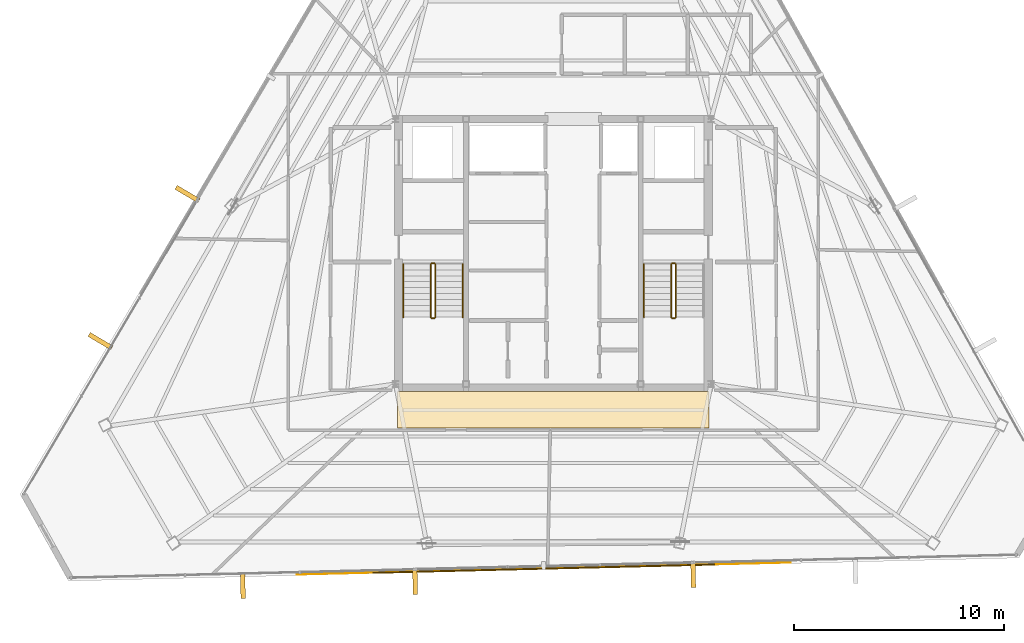
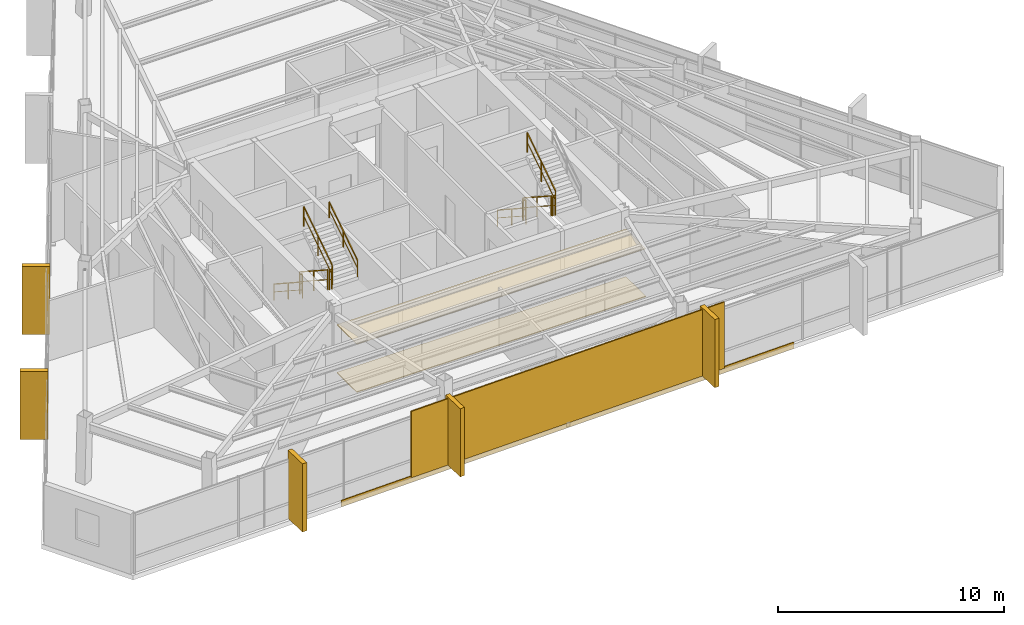
# One storey, part 43 of 44: 11 railings, 8 coverings, 1 shading device.
"""IFC4 building model written with IfcOpenShell, lengths in metres."""

from ifc_helpers import new_model, si_unit, direction, frame, origin, origin_2d, place, context, subcontext, project, spatial, polyline, rectangle, outline, extrude, source, transform, mapped, material, layer, layer_set, type_object, type_shapes, element, save


model = new_model("IFC4")

# Units and contexts
model_context = context("Model", 3, precision=1e-05, world=origin(), true_north=direction((0.0, 1.0)))
body_context = subcontext(model_context, "Body", "Model", "MODEL_VIEW")
ifc_project = project(units=[si_unit("LENGTHUNIT", "METRE"), si_unit("AREAUNIT", "SQUARE_METRE"), si_unit("VOLUMEUNIT", "CUBIC_METRE"), si_unit("PLANEANGLEUNIT", "RADIAN"), si_unit("MASSUNIT", "GRAM", prefix="KILO")], contexts=[model_context])

# Site, building, storey
site_placement = place(None, origin())
site = spatial("IfcSite", under=ifc_project, at=site_placement, CompositionType="ELEMENT")
building_placement = place(site_placement, origin())
building = spatial("IfcBuilding", under=site, at=building_placement, Name="Caelisora Broadcast Tower", CompositionType="ELEMENT")
storey_placement = place(building_placement, frame((0.0, 0.0, 280.949951171875)))
storey = spatial("IfcBuildingStorey", under=building, at=storey_placement, Name="L74", CompositionType="ELEMENT", Elevation=280.949951171875)

# Coverings
ifc_material_1 = material(Name="Perforated Mineral-Fibre Acoustic Ceiling Tile", Category="gypsum")
ifc_layer_1 = layer(ifc_material_1, 0.034912109375, Name="Perforated Mineral-Fibre Acoustic Ceiling Tile")
ifc_layer_set_1 = layer_set([ifc_layer_1], Name="Perforated Mineral-Fibre Acoustic Ceiling Tile")
covering_type_1 = type_object("IfcCoveringType", Name="CE-1", PredefinedType="CEILING", material=ifc_layer_set_1)
covering_1_placement = place(storey_placement, frame((0.0, 0.0, 2.60009765625)))
element("IfcCovering", 1, at=covering_1_placement, inside=storey, type_object=covering_type_1, Name="L74 acoustic corridor ceiling CE-1 (S)", PredefinedType="CEILING", context=body_context, shape_type="SweptSolid", body=[
    extrude(outline(polyline([(30.60009765625, 15.300048828125), (45.39990234375, 15.300048828125), (45.39990234375, 17.050048828125), (30.60009765625, 17.050048828125), (30.60009765625, 15.300048828125)])), origin(), (0.0, 0.0, 1.0), 0.034912109375),
])
ifc_material_2 = material(Name="Anti-Static Broadcast Raised Access Floor Panel", Category="steel")
ifc_layer_2 = layer(ifc_material_2, 0.044921875, Name="Anti-Static Broadcast Raised Access Floor Panel")
ifc_layer_set_2 = layer_set([ifc_layer_2], Name="Anti-Static Broadcast Raised Access Floor Panel")
covering_type_2 = type_object("IfcCoveringType", Name="FL-1", PredefinedType="FLOORING", material=ifc_layer_set_2)
covering_2_placement = place(storey_placement, origin())
element("IfcCovering", 2, at=covering_2_placement, inside=storey, type_object=covering_type_2, Name="L74 broadcast raised access floor FL-1 (S)", PredefinedType="FLOORING", context=body_context, shape_type="SweptSolid", body=[
    extrude(outline(polyline([(30.60009765625, 15.300048828125), (45.39990234375, 15.300048828125), (45.39990234375, 17.050048828125), (30.60009765625, 17.050048828125), (30.60009765625, 15.300048828125)])), origin(), (0.0, 0.0, 1.0), 0.045166015625),
])

# Railings
ifc_material_3 = material(Name="Galvanised Steel Safety Guardrail", Category="steel")
ifc_layer_3 = layer(ifc_material_3, 0.048095703125, Name="Galvanised Steel Safety Guardrail")
ifc_layer_set_3 = layer_set([ifc_layer_3], Name="Galvanised Steel Safety Guardrail")
railing_type_1 = type_object("IfcRailingType", Name="GR-1", PredefinedType="GUARDRAIL", material=ifc_layer_set_3)
railing_1_placement = place(storey_placement, frame((32.169921875, 23.10009765625, 0.1826171875)))
element("IfcRailing", 3, at=railing_1_placement, inside=storey, type_object=railing_type_1, Name="L74 ST-1 stair guard 1", PredefinedType="GUARDRAIL", context=body_context, shape_type="SweptSolid", body=[
    extrude(rectangle(XDim=0.048095703125, YDim=0.048095703125, at=origin_2d()), frame((0.0, 0.0, 1.076171875), z_axis=(0.0, -0.837786554691, 0.545997883492), x_axis=(1.0, 0.0, 0.0)), (0.0, 0.0, 1.0), 3.008056640625),
    extrude(rectangle(XDim=0.03125, YDim=0.03125, at=origin_2d()), frame((0.0, 0.0, 0.550048828125), z_axis=(0.0, -0.837786554691, 0.545997883492), x_axis=(1.0, 0.0, 0.0)), (0.0, 0.0, 1.0), 3.008056640625),
    extrude(rectangle(XDim=0.0419921875, YDim=0.0419921875, at=origin_2d()), origin(), (0.0, 0.0, 1.0), 1.052001953125),
    extrude(rectangle(XDim=0.0419921875, YDim=0.0419921875, at=origin_2d()), frame((0.0, -1.260009765625, 0.8212890625)), (0.0, 0.0, 1.0), 1.052001953125),
    extrude(rectangle(XDim=0.0419921875, YDim=0.0419921875, at=origin_2d()), frame((0.0, -2.52001953125, 1.642333984375)), (0.0, 0.0, 1.0), 1.052001953125),
])
railing_2_placement = place(storey_placement, frame((32.219970703125, 20.530029296875, 1.824951171875)))
element("IfcRailing", 4, at=railing_2_placement, inside=storey, type_object=railing_type_1, Name="L74 ST-1 stair guard 2", PredefinedType="GUARDRAIL", context=body_context, shape_type="SweptSolid", body=[
    extrude(rectangle(XDim=0.048095703125, YDim=0.048095703125, at=origin_2d()), frame((0.0, 0.0, 1.076171875), z_axis=(1.0, 0.0, 0.0), x_axis=(0.0, 1.0, 0.0)), (0.0, 0.0, 1.0), 0.1201171875),
    extrude(rectangle(XDim=0.03125, YDim=0.03125, at=origin_2d()), frame((0.0, 0.0, 0.550048828125), z_axis=(1.0, 0.0, 0.0), x_axis=(0.0, 1.0, 0.0)), (0.0, 0.0, 1.0), 0.1201171875),
    extrude(rectangle(XDim=0.0419921875, YDim=0.0419921875, at=origin_2d()), origin(), (0.0, 0.0, 1.0), 1.052001953125),
    extrude(rectangle(XDim=0.0419921875, YDim=0.0419921875, at=origin_2d()), frame((0.1201171875, 0.0, 0.0)), (0.0, 0.0, 1.0), 1.052001953125),
])
railing_3_placement = place(storey_placement, frame((32.389892578125, 20.580078125, 2.007568359375)))
element("IfcRailing", 5, at=railing_3_placement, inside=storey, type_object=railing_type_1, Name="L74 ST-1 stair guard 3", PredefinedType="GUARDRAIL", context=body_context, shape_type="SweptSolid", body=[
    extrude(rectangle(XDim=0.048095703125, YDim=0.048095703125, at=origin_2d()), frame((0.0, 0.0, 1.076171875), z_axis=(0.0, 0.837749427056, 0.546054848405), x_axis=(-1.0, 0.0, 0.0)), (0.0, 0.0, 1.0), 3.008056640625),
    extrude(rectangle(XDim=0.03125, YDim=0.03125, at=origin_2d()), frame((0.0, 0.0, 0.550048828125), z_axis=(0.0, 0.837749427056, 0.546054848405), x_axis=(-1.0, 0.0, 0.0)), (0.0, 0.0, 1.0), 3.008056640625),
    extrude(rectangle(XDim=0.0419921875, YDim=0.0419921875, at=origin_2d()), origin(), (0.0, 0.0, 1.0), 1.052001953125),
    extrude(rectangle(XDim=0.0419921875, YDim=0.0419921875, at=origin_2d()), frame((0.0, 1.260009765625, 0.8212890625)), (0.0, 0.0, 1.0), 1.052001953125),
    extrude(rectangle(XDim=0.0419921875, YDim=0.0419921875, at=origin_2d()), frame((0.0, 2.52001953125, 1.642578125)), (0.0, 0.0, 1.0), 1.052001953125),
])
railing_4_placement = place(storey_placement, frame((32.219970703125, 23.14990234375, 0.0)))
element("IfcRailing", 6, at=railing_4_placement, inside=storey, type_object=railing_type_1, Name="L74 ST-1 stair guard 4", PredefinedType="GUARDRAIL", context=body_context, shape_type="SweptSolid", body=[
    extrude(rectangle(XDim=0.048095703125, YDim=0.048095703125, at=origin_2d()), frame((0.0, 0.0, 1.076171875), z_axis=(1.0, 0.0, 0.0), x_axis=(0.0, 1.0, 0.0)), (0.0, 0.0, 1.0), 0.1201171875),
    extrude(rectangle(XDim=0.03125, YDim=0.03125, at=origin_2d()), frame((0.0, 0.0, 0.550048828125), z_axis=(1.0, 0.0, 0.0), x_axis=(0.0, 1.0, 0.0)), (0.0, 0.0, 1.0), 0.1201171875),
    extrude(rectangle(XDim=0.0419921875, YDim=0.0419921875, at=origin_2d()), origin(), (0.0, 0.0, 1.0), 1.052001953125),
    extrude(rectangle(XDim=0.0419921875, YDim=0.0419921875, at=origin_2d()), frame((0.1201171875, 0.0, 0.0)), (0.0, 0.0, 1.0), 1.052001953125),
])
railing_5_placement = place(storey_placement, frame((43.610107421875, 23.10009765625, 0.1826171875)))
element("IfcRailing", 7, at=railing_5_placement, inside=storey, type_object=railing_type_1, Name="L74 ST-2 stair guard 1", PredefinedType="GUARDRAIL", context=body_context, shape_type="SweptSolid", body=[
    extrude(rectangle(XDim=0.048095703125, YDim=0.048095703125, at=origin_2d()), frame((0.0, 0.0, 1.076171875), z_axis=(0.0, -0.837786554691, 0.545997883492), x_axis=(1.0, 0.0, 0.0)), (0.0, 0.0, 1.0), 3.008056640625),
    extrude(rectangle(XDim=0.03125, YDim=0.03125, at=origin_2d()), frame((0.0, 0.0, 0.550048828125), z_axis=(0.0, -0.837786554691, 0.545997883492), x_axis=(1.0, 0.0, 0.0)), (0.0, 0.0, 1.0), 3.008056640625),
    extrude(rectangle(XDim=0.0419921875, YDim=0.0419921875, at=origin_2d()), origin(), (0.0, 0.0, 1.0), 1.052001953125),
    extrude(rectangle(XDim=0.0419921875, YDim=0.0419921875, at=origin_2d()), frame((0.0, -1.260009765625, 0.8212890625)), (0.0, 0.0, 1.0), 1.052001953125),
    extrude(rectangle(XDim=0.0419921875, YDim=0.0419921875, at=origin_2d()), frame((0.0, -2.52001953125, 1.642333984375)), (0.0, 0.0, 1.0), 1.052001953125),
])
railing_6_placement = place(storey_placement, frame((43.659912109375, 20.530029296875, 1.824951171875)))
element("IfcRailing", 8, at=railing_6_placement, inside=storey, type_object=railing_type_1, Name="L74 ST-2 stair guard 2", PredefinedType="GUARDRAIL", context=body_context, shape_type="SweptSolid", body=[
    extrude(rectangle(XDim=0.048095703125, YDim=0.048095703125, at=origin_2d()), frame((0.0, 0.0, 1.076171875), z_axis=(1.0, 0.0, 0.0), x_axis=(0.0, 1.0, 0.0)), (0.0, 0.0, 1.0), 0.1201171875),
    extrude(rectangle(XDim=0.03125, YDim=0.03125, at=origin_2d()), frame((0.0, 0.0, 0.550048828125), z_axis=(1.0, 0.0, 0.0), x_axis=(0.0, 1.0, 0.0)), (0.0, 0.0, 1.0), 0.1201171875),
    extrude(rectangle(XDim=0.0419921875, YDim=0.0419921875, at=origin_2d()), origin(), (0.0, 0.0, 1.0), 1.052001953125),
    extrude(rectangle(XDim=0.0419921875, YDim=0.0419921875, at=origin_2d()), frame((0.1201171875, 0.0, 0.0)), (0.0, 0.0, 1.0), 1.052001953125),
])
railing_7_placement = place(storey_placement, frame((43.830078125, 20.580078125, 2.007568359375)))
element("IfcRailing", 9, at=railing_7_placement, inside=storey, type_object=railing_type_1, Name="L74 ST-2 stair guard 3", PredefinedType="GUARDRAIL", context=body_context, shape_type="SweptSolid", body=[
    extrude(rectangle(XDim=0.048095703125, YDim=0.048095703125, at=origin_2d()), frame((0.0, 0.0, 1.076171875), z_axis=(0.0, 0.837749427056, 0.546054848405), x_axis=(-1.0, 0.0, 0.0)), (0.0, 0.0, 1.0), 3.008056640625),
    extrude(rectangle(XDim=0.03125, YDim=0.03125, at=origin_2d()), frame((0.0, 0.0, 0.550048828125), z_axis=(0.0, 0.837749427056, 0.546054848405), x_axis=(-1.0, 0.0, 0.0)), (0.0, 0.0, 1.0), 3.008056640625),
    extrude(rectangle(XDim=0.0419921875, YDim=0.0419921875, at=origin_2d()), origin(), (0.0, 0.0, 1.0), 1.052001953125),
    extrude(rectangle(XDim=0.0419921875, YDim=0.0419921875, at=origin_2d()), frame((0.0, 1.260009765625, 0.8212890625)), (0.0, 0.0, 1.0), 1.052001953125),
    extrude(rectangle(XDim=0.0419921875, YDim=0.0419921875, at=origin_2d()), frame((0.0, 2.52001953125, 1.642578125)), (0.0, 0.0, 1.0), 1.052001953125),
])
railing_8_placement = place(storey_placement, frame((43.659912109375, 23.14990234375, 0.0)))
element("IfcRailing", 10, at=railing_8_placement, inside=storey, type_object=railing_type_1, Name="L74 ST-2 stair guard 4", PredefinedType="GUARDRAIL", context=body_context, shape_type="SweptSolid", body=[
    extrude(rectangle(XDim=0.048095703125, YDim=0.048095703125, at=origin_2d()), frame((0.0, 0.0, 1.076171875), z_axis=(1.0, 0.0, 0.0), x_axis=(0.0, 1.0, 0.0)), (0.0, 0.0, 1.0), 0.1201171875),
    extrude(rectangle(XDim=0.03125, YDim=0.03125, at=origin_2d()), frame((0.0, 0.0, 0.550048828125), z_axis=(1.0, 0.0, 0.0), x_axis=(0.0, 1.0, 0.0)), (0.0, 0.0, 1.0), 0.1201171875),
    extrude(rectangle(XDim=0.0419921875, YDim=0.0419921875, at=origin_2d()), origin(), (0.0, 0.0, 1.0), 1.052001953125),
    extrude(rectangle(XDim=0.0419921875, YDim=0.0419921875, at=origin_2d()), frame((0.1201171875, 0.0, 0.0)), (0.0, 0.0, 1.0), 1.052001953125),
])
ifc_material_4 = material(Name="Stainless Steel Grade 316 Tubular Handrail", Category="steel")
ifc_layer_4 = layer(ifc_material_4, 0.048095703125, Name="Stainless Steel Grade 316 Tubular Handrail")
ifc_layer_set_4 = layer_set([ifc_layer_4], Name="Stainless Steel Grade 316 Tubular Handrail")
railing_type_2 = type_object("IfcRailingType", Name="HR-1", PredefinedType="HANDRAIL", material=ifc_layer_set_4)
railing_9_placement = place(storey_placement, frame((30.8701171875, 23.10009765625, 0.1826171875)))
element("IfcRailing", 11, at=railing_9_placement, inside=storey, type_object=railing_type_2, Name="L74 ST-1 stair handrail 1", PredefinedType="HANDRAIL", context=body_context, shape_type="SweptSolid", body=[
    extrude(rectangle(XDim=0.048095703125, YDim=0.048095703125, at=origin_2d()), frame((0.0, 0.0, 0.8759765625), z_axis=(0.0, -0.837786554691, 0.545997883492), x_axis=(1.0, 0.0, 0.0)), (0.0, 0.0, 1.0), 3.008056640625),
    extrude(rectangle(XDim=0.03125, YDim=0.03125, at=origin_2d()), frame((0.0, 0.0, 0.449951171875), z_axis=(0.0, -0.837786554691, 0.545997883492), x_axis=(1.0, 0.0, 0.0)), (0.0, 0.0, 1.0), 3.008056640625),
    extrude(rectangle(XDim=0.0419921875, YDim=0.0419921875, at=origin_2d()), origin(), (0.0, 0.0, 1.0), 0.851806640625),
    extrude(rectangle(XDim=0.0419921875, YDim=0.0419921875, at=origin_2d()), frame((0.0, -1.260009765625, 0.8212890625)), (0.0, 0.0, 1.0), 0.851806640625),
    extrude(rectangle(XDim=0.0419921875, YDim=0.0419921875, at=origin_2d()), frame((0.0, -2.52001953125, 1.642333984375)), (0.0, 0.0, 1.0), 0.851806640625),
])
railing_10_placement = place(storey_placement, frame((33.68994140625, 20.580078125, 2.007568359375)))
element("IfcRailing", 12, at=railing_10_placement, inside=storey, type_object=railing_type_2, Name="L74 ST-1 stair handrail 2", PredefinedType="HANDRAIL", context=body_context, shape_type="SweptSolid", body=[
    extrude(rectangle(XDim=0.048095703125, YDim=0.048095703125, at=origin_2d()), frame((0.0, 0.0, 0.8759765625), z_axis=(0.0, 0.837749427056, 0.546054848405), x_axis=(-1.0, 0.0, 0.0)), (0.0, 0.0, 1.0), 3.008056640625),
    extrude(rectangle(XDim=0.03125, YDim=0.03125, at=origin_2d()), frame((0.0, 0.0, 0.449951171875), z_axis=(0.0, 0.837749427056, 0.546054848405), x_axis=(-1.0, 0.0, 0.0)), (0.0, 0.0, 1.0), 3.008056640625),
    extrude(rectangle(XDim=0.0419921875, YDim=0.0419921875, at=origin_2d()), origin(), (0.0, 0.0, 1.0), 0.851806640625),
    extrude(rectangle(XDim=0.0419921875, YDim=0.0419921875, at=origin_2d()), frame((0.0, 1.260009765625, 0.8212890625)), (0.0, 0.0, 1.0), 0.851806640625),
    extrude(rectangle(XDim=0.0419921875, YDim=0.0419921875, at=origin_2d()), frame((0.0, 2.52001953125, 1.642578125)), (0.0, 0.0, 1.0), 0.851806640625),
])
railing_11_placement = place(storey_placement, frame((42.31005859375, 23.10009765625, 0.1826171875)))
element("IfcRailing", 13, at=railing_11_placement, inside=storey, type_object=railing_type_2, Name="L74 ST-2 stair handrail 1", PredefinedType="HANDRAIL", context=body_context, shape_type="SweptSolid", body=[
    extrude(rectangle(XDim=0.048095703125, YDim=0.048095703125, at=origin_2d()), frame((0.0, 0.0, 0.8759765625), z_axis=(0.0, -0.837786554691, 0.545997883492), x_axis=(1.0, 0.0, 0.0)), (0.0, 0.0, 1.0), 3.008056640625),
    extrude(rectangle(XDim=0.03125, YDim=0.03125, at=origin_2d()), frame((0.0, 0.0, 0.449951171875), z_axis=(0.0, -0.837786554691, 0.545997883492), x_axis=(1.0, 0.0, 0.0)), (0.0, 0.0, 1.0), 3.008056640625),
    extrude(rectangle(XDim=0.0419921875, YDim=0.0419921875, at=origin_2d()), origin(), (0.0, 0.0, 1.0), 0.851806640625),
    extrude(rectangle(XDim=0.0419921875, YDim=0.0419921875, at=origin_2d()), frame((0.0, -1.260009765625, 0.8212890625)), (0.0, 0.0, 1.0), 0.851806640625),
    extrude(rectangle(XDim=0.0419921875, YDim=0.0419921875, at=origin_2d()), frame((0.0, -2.52001953125, 1.642333984375)), (0.0, 0.0, 1.0), 0.851806640625),
])

# Coverings
ifc_material_5 = material(Name="Kiln-Fired Terracotta Spandrel Rainscreen Cladding", Category="ceramic")
ifc_layer_5 = layer(ifc_material_5, 0.044921875, Name="Kiln-Fired Terracotta Spandrel Rainscreen Cladding")
ifc_layer_set_5 = layer_set([ifc_layer_5], Name="Kiln-Fired Terracotta Spandrel Rainscreen Cladding")
covering_type_3 = type_object("IfcCoveringType", Name="CL-1", PredefinedType="CLADDING", material=ifc_layer_set_5)
shared_shape_1 = source(origin(), body_context, "Body", "SweptSolid", [
    extrude(rectangle(XDim=0.219970703125, YDim=1.25, at=origin_2d()), origin(), (0.0, 0.0, 1.0), 3.68994140625),
])
for number, where, z_axis, x_axis, name in (
    (14, (44.65087890625, 8.340576171875, -0.02001953125), (0.0, 0.0, 1.0), (-0.999705738774, -0.024257696956, 0.0), "L74 vertical solar fin cladding #2-2"),
    (15, (31.4287109375, 8.019287109375, -0.02001953125), (0.0, 0.0, 1.0), (-0.999705738774, -0.024257696956, 0.0), "L74 vertical solar fin cladding #2-3"),
    (16, (23.23828125, 7.8203125, -0.02001953125), (0.0, 0.0, 1.0), (-0.999705738774, -0.024257696956, 0.0), "L74 vertical solar fin cladding #2-4"),
    (17, (16.466552734375, 19.435302734375, -0.02001953125), (0.0, 0.0, 1.0), (0.508740929096, 0.860919663536, 0.0), "L74 vertical solar fin cladding #3-1"),
    (18, (20.600341796875, 26.431884765625, -0.02001953125), (0.0, 0.0, 1.0), (0.508740929096, 0.860919663536, 0.0), "L74 vertical solar fin cladding #3-2"),
):
    element("IfcCovering", number, at=place(storey_placement, frame(where, z_axis=z_axis, x_axis=x_axis)), inside=storey, type_object=covering_type_3, Name=name, PredefinedType="CLADDING", context=body_context, shape_type="MappedRepresentation", body=[
        mapped(shared_shape_1, transform((0.0, 0.0, 0.0), scale=1.0)),
    ])
shared_shape_2 = source(origin(), body_context, "Body", "SweptSolid", [
    extrude(rectangle(XDim=23.506103515625, YDim=0.044921875, at=origin_2d()), origin(), (0.0, 0.0, 1.0), 0.340087890625),
])
type_shapes(covering_type_3, [shared_shape_1, shared_shape_2])
covering_3_placement = place(storey_placement, frame((37.541015625, 8.637939453125, -0.27001953125), z_axis=(0.0, 0.0, 1.0), x_axis=(0.999705738774, 0.024257696956, 0.0)))
element("IfcCovering", 19, at=covering_3_placement, inside=storey, type_object=covering_type_3, Name="L74 terracotta spandrel rainscreen #2", PredefinedType="CLADDING", context=body_context, shape_type="MappedRepresentation", body=[
    mapped(shared_shape_2, transform((0.0, 0.0, 0.0), scale=1.0)),
])

# Shading device
ifc_material_6 = material(Name="Perforated Glazed Terracotta Baguette Solar Screen", Category="ceramic")
ifc_layer_6 = layer(ifc_material_6, 0.06494140625, Name="Perforated Glazed Terracotta Baguette Solar Screen")
ifc_layer_set_6 = layer_set([ifc_layer_6], Name="Perforated Glazed Terracotta Baguette Solar Screen")
shading_device_type = type_object("IfcShadingDeviceType", Name="SS-1", PredefinedType="USERDEFINED", material=ifc_layer_set_6)
shared_shape_3 = source(origin(), body_context, "Body", "SweptSolid", [
    extrude(rectangle(XDim=16.27392578125, YDim=0.06494140625, at=origin_2d()), origin(), (0.0, 0.0, 1.0), 3.590087890625),
])
type_shapes(shading_device_type, [shared_shape_3])
shading_device_placement = place(storey_placement, frame((37.54150390625, 8.617919921875, 0.0), z_axis=(0.0, 0.0, 1.0), x_axis=(0.999705738774, 0.024257696956, 0.0)))
element("IfcShadingDevice", 20, at=shading_device_placement, inside=storey, type_object=shading_device_type, Name="L74 perforated terracotta solar screen #2", ObjectType="SOLAR SCREEN", PredefinedType="USERDEFINED", context=body_context, shape_type="MappedRepresentation", body=[
    mapped(shared_shape_3, transform((0.0, 0.0, 0.0), scale=1.0)),
])

save(model, "model.ifc")
